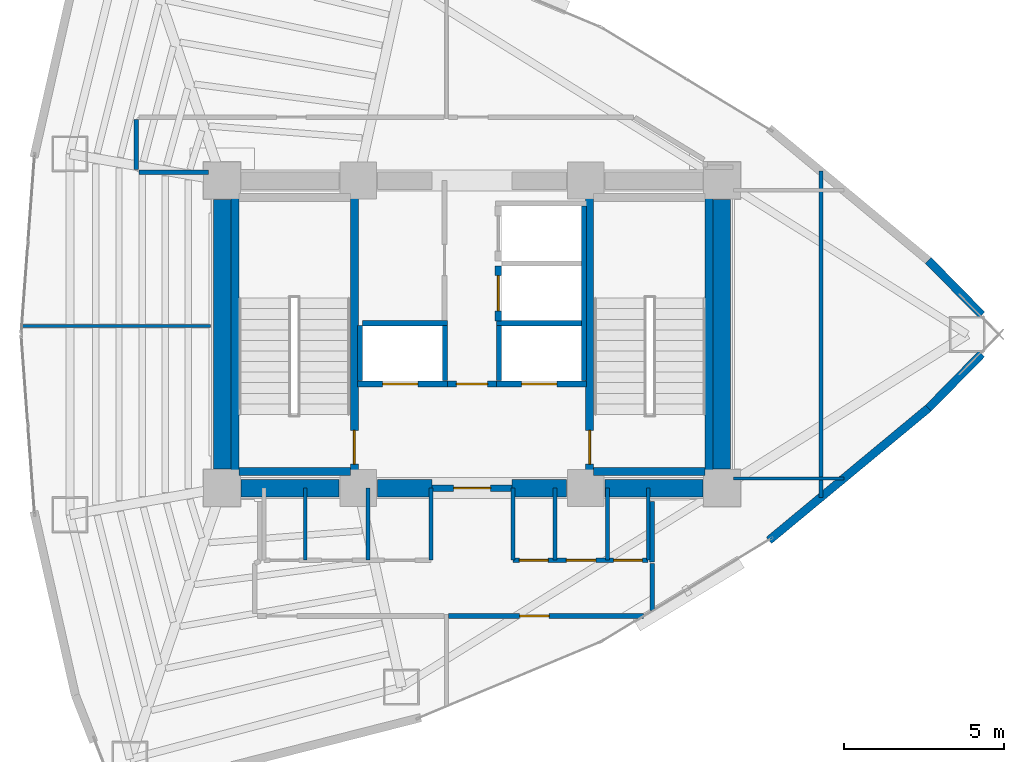
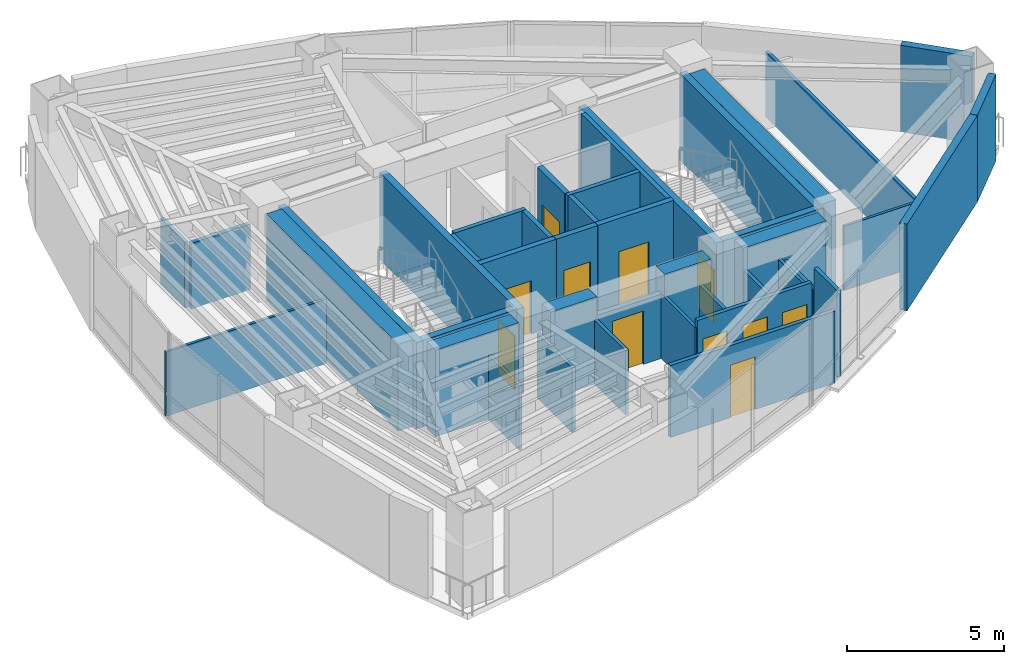
# One storey, part 11 of 15: 42 walls, 11 doors, 11 openings.
"""IFC4 building model written with IfcOpenShell, lengths in metres."""

import ifcopenshell
import ifcopenshell.guid

model = None  # the IFC model being written
_history = None  # IfcOwnerHistory: only IFC2X3 demands one
_inside = {}  # id of a spatial element -> (the spatial element, [elements in it])
_under = {}  # id of a project, library or spatial element -> (it, [spatial elements below it])
_declared = {}  # id of a project -> (the project, [libraries it declares])
_typed = {}  # id of a type object -> (the type object, [elements of that type])
_made_of = {}  # id of a material, layer set ... -> (it, [elements and type objects made of it])


def new_model(schema):
    """Start an empty IFC model of exactly this schema.

    Asked for "IFC4X3", IfcOpenShell would pick the latest addendum, in which some entities
    have other attributes; the version numbers below select the first issue.
    IFC2X3 requires an IfcOwnerHistory on every rooted entity: one is made here for all.
    """
    global model, _history
    if schema == "IFC4X3":
        model = ifcopenshell.file(schema_version=(4, 3, 0, 0))
    else:
        model = ifcopenshell.file(schema=schema)
    _inside.clear()
    _under.clear()
    _declared.clear()
    _typed.clear()
    _made_of.clear()
    _history = None
    if model.schema == "IFC2X3":
        org = make("IfcOrganization", Name="unknown")
        user = make(
            "IfcPersonAndOrganization",
            ThePerson=make("IfcPerson", FamilyName="unknown"),
            TheOrganization=org,
        )
        app = make(
            "IfcApplication",
            ApplicationDeveloper=org,
            Version="unknown",
            ApplicationFullName="unknown",
            ApplicationIdentifier="unknown",
        )
        _history = make(
            "IfcOwnerHistory",
            OwningUser=user,
            OwningApplication=app,
            ChangeAction="ADDED",
            CreationDate=0,
        )
    return model


def make(cls, **values):
    """One entity of the class cls with the attributes given. An attribute that is None is left unset."""
    return model.create_entity(
        cls, **{name: value for name, value in values.items() if value is not None}
    )


def rooted(cls, **values):
    """An entity with a GlobalId (a new one), such as an element, a storey or a relation."""
    return make(cls, GlobalId=ifcopenshell.guid.new(), OwnerHistory=_history, **values)


def si_unit(unit_type, name, prefix=None):
    """IfcSIUnit, for example si_unit("LENGTHUNIT", "METRE", prefix="MILLI")."""
    return make("IfcSIUnit", UnitType=unit_type, Prefix=prefix, Name=name)


def assignment(units):
    """IfcUnitAssignment: the units of a project."""
    return None if units is None else make("IfcUnitAssignment", Units=units)


def point(xyz):
    """IfcCartesianPoint."""
    return None if xyz is None else make("IfcCartesianPoint", Coordinates=xyz)


def direction(xyz):
    """IfcDirection."""
    return None if xyz is None else make("IfcDirection", DirectionRatios=xyz)


def frame(location, z_axis=None, x_axis=None):
    """IfcAxis2Placement3D, a coordinate frame: its origin and axes. An axis left out is left unset."""
    return make(
        "IfcAxis2Placement3D",
        Location=point(location),
        Axis=direction(z_axis),
        RefDirection=direction(x_axis),
    )


def frame_2d(location, x_axis=None):
    """IfcAxis2Placement2D, a coordinate frame in the plane: its origin and x axis."""
    return make(
        "IfcAxis2Placement2D", Location=point(location), RefDirection=direction(x_axis)
    )


def origin():
    """The frame at (0, 0, 0) with its axes left unset."""
    return frame((0.0, 0.0, 0.0))


def place(relative_to, where):
    """IfcLocalPlacement: puts the frame where relative to a parent placement (None: the world)."""
    return make(
        "IfcLocalPlacement", PlacementRelTo=relative_to, RelativePlacement=where
    )


def context(
    kind, dimensions, precision=None, world=None, true_north=None, identifier=None
):
    """IfcGeometricRepresentationContext, for example the 3D "Model" context."""
    return make(
        "IfcGeometricRepresentationContext",
        ContextIdentifier=identifier,
        ContextType=kind,
        CoordinateSpaceDimension=dimensions,
        Precision=precision,
        WorldCoordinateSystem=world,
        TrueNorth=true_north,
    )


def subcontext(parent, identifier, kind, view, scale=None):
    """IfcGeometricRepresentationSubContext, for example "Body" below "Model"."""
    return make(
        "IfcGeometricRepresentationSubContext",
        ContextIdentifier=identifier,
        ContextType=kind,
        ParentContext=parent,
        TargetScale=scale,
        TargetView=view,
    )


def project(units=None, contexts=None):
    """IfcProject with its units and contexts."""
    return rooted(
        "IfcProject",
        Name="project",
        RepresentationContexts=contexts,
        UnitsInContext=assignment(units),
    )


def spatial(cls, under=None, at=None, **own):
    """A site, building, storey or space (cls), placed at a placement, below another one or the project."""
    s = rooted(cls, ObjectPlacement=at, **own)
    if under is not None:
        _under.setdefault(under.id(), (under, []))[1].append(s)
    return s


def profile(cls, at=None, kind="AREA", **sizes):
    """A parametric profile (cls). Its sizes go by their IFC names, for example OverallWidth=200.0."""
    return make(cls, ProfileType=kind, Position=at, **sizes)


def rectangle(**sizes):
    """IfcRectangleProfileDef."""
    return profile("IfcRectangleProfileDef", **sizes)


def extrude(swept, where, along, depth):
    """IfcExtrudedAreaSolid: the profile swept, set in the frame where, extruded along a direction by depth."""
    return make(
        "IfcExtrudedAreaSolid",
        SweptArea=swept,
        Position=where,
        ExtrudedDirection=direction(along),
        Depth=depth,
    )


def shape(context_of_items, identifier, shape_type, items):
    """IfcShapeRepresentation: the items that make up one representation, for example the "Body"."""
    return make(
        "IfcShapeRepresentation",
        ContextOfItems=context_of_items,
        RepresentationIdentifier=identifier,
        RepresentationType=shape_type,
        Items=items,
    )


def material(Name=None, Category=None):
    """IfcMaterial."""
    return make("IfcMaterial", Name=Name, Category=Category)


def layer(
    of_material, thickness, ventilated=None, Name=None, Category=None, Priority=None
):
    """IfcMaterialLayer: one layer of a wall or slab, of a material (None: an air gap)."""
    return make(
        "IfcMaterialLayer",
        Material=of_material,
        LayerThickness=thickness,
        IsVentilated=ventilated,
        Name=Name,
        Category=Category,
        Priority=Priority,
    )


def layer_set(layers, Name=None):
    """IfcMaterialLayerSet."""
    return make("IfcMaterialLayerSet", MaterialLayers=layers, LayerSetName=Name)


def made_of(thing, what):
    """Note that an element or type object is made of a material, layer set ...; save() writes the relation."""
    if what is not None:
        _made_of.setdefault(what.id(), (what, []))[1].append(thing)
    return thing


def type_object(cls, material=None, **own):
    """A type object (cls), such as IfcWallType, which elements share."""
    return made_of(rooted(cls, **own), material)


def element(
    cls,
    number,
    at=None,
    inside=None,
    cuts=None,
    type_object=None,
    material=None,
    context=None,
    identifier="Body",
    shape_type=None,
    held_by="IfcProductDefinitionShape",
    body=None,
    shapes=None,
    **own,
):
    """One element of the class cls, such as IfcWall. Its Tag is "e" and its number.

    at: its placement. inside: the storey or other place that contains it. cuts: it is an
    opening in that element (IfcRelVoidsElement). A single representation is given by context,
    identifier, shape_type and body (its items); several are given by shapes. held_by: the class
    of the entity that holds the representations. save() writes the other relations.
    """
    e = rooted(cls, Tag="e%d" % number, ObjectPlacement=at, **own)
    if body is not None:
        shapes = [shape(context, identifier, shape_type, body)]
    if shapes is not None:
        e.Representation = make(held_by, Representations=shapes)
    if inside is not None:
        _inside.setdefault(inside.id(), (inside, []))[1].append(e)
    if cuts is not None:
        rooted(
            "IfcRelVoidsElement", RelatingBuildingElement=cuts, RelatedOpeningElement=e
        )
    if type_object is not None:
        _typed.setdefault(type_object.id(), (type_object, []))[1].append(e)
    return made_of(e, material)


def fill(opening, filler):
    """IfcRelFillsElement: the door or window that sits in an opening."""
    return rooted(
        "IfcRelFillsElement",
        RelatingOpeningElement=opening,
        RelatedBuildingElement=filler,
    )


def aggregate(whole, parts):
    """IfcRelAggregates: a whole, such as a stair, and the parts it consists of."""
    return rooted("IfcRelAggregates", RelatingObject=whole, RelatedObjects=parts)


def save(model, path):
    """Write the relations noted so far, then the file.

    IfcRelAggregates (storeys below a building ...), IfcRelContainedInSpatialStructure (elements
    in a storey), IfcRelDefinesByType, IfcRelAssociatesMaterial and IfcRelDeclares: one each for
    every whole, place, type object, material and project.
    """
    for whole, parts in _under.values():
        aggregate(whole, parts)
    for where, things in _inside.values():
        rooted(
            "IfcRelContainedInSpatialStructure",
            RelatedElements=things,
            RelatingStructure=where,
        )
    for kind, things in _typed.values():
        rooted("IfcRelDefinesByType", RelatedObjects=things, RelatingType=kind)
    for what, things in _made_of.values():
        rooted("IfcRelAssociatesMaterial", RelatedObjects=things, RelatingMaterial=what)
    for by, libraries in _declared.values():
        rooted("IfcRelDeclares", RelatingContext=by, RelatedDefinitions=libraries)
    model.write(path)


model = new_model("IFC4")

# Units and contexts
model_context = context("Model", 3, precision=1e-05, world=origin(), true_north=direction((0.0, 1.0)))
body_context = subcontext(model_context, "Body", "Model", "MODEL_VIEW")
ifc_project = project(units=[si_unit("LENGTHUNIT", "METRE"), si_unit("AREAUNIT", "SQUARE_METRE"), si_unit("VOLUMEUNIT", "CUBIC_METRE"), si_unit("PLANEANGLEUNIT", "RADIAN"), si_unit("MASSUNIT", "GRAM", prefix="KILO")], contexts=[model_context])

# Site, building, storey
site_placement = place(None, origin())
site = spatial("IfcSite", under=ifc_project, at=site_placement, CompositionType="ELEMENT")
building_placement = place(site_placement, origin())
building = spatial("IfcBuilding", under=site, at=building_placement, Name="Menara Vayukalpa", CompositionType="ELEMENT")
storey_placement = place(building_placement, frame((0.0, 0.0, 144.89990234375)))
storey = spatial("IfcBuildingStorey", under=building, at=storey_placement, Name="L36", CompositionType="ELEMENT", Elevation=144.89990234375)

# Walls
ifc_material_1 = material(Name="Concrete C60/75", Category="concrete")
ifc_layer_1 = layer(ifc_material_1, 0.550048828125)
ifc_layer_set_1 = layer_set([ifc_layer_1], Name="Concrete C60/75")
wall_type_1 = type_object("IfcWallType", Name="WAL-CW550", PredefinedType="SHEAR", material=ifc_layer_set_1)
wall_1_placement = place(storey_placement, frame((18.39501953125, 17.199951171875, 0.0), z_axis=(0.0, 0.0, 1.0), x_axis=(1.0, 0.0, 0.0)))
element("IfcWall", 1, at=wall_1_placement, inside=storey, type_object=wall_type_1, Name="L36 Buttressed Core Shear Wall CWS1", PredefinedType="SHEAR", context=body_context, shape_type="SweptSolid", body=[
    extrude(rectangle(XDim=3.06005859375, YDim=0.550048828125, at=frame_2d((1.530029296875, 0.0))), origin(), (0.0, 0.0, 1.0), 3.380126953125),
])
wall_2_placement = place(storey_placement, frame((22.64501953125, 17.199951171875, 0.0), z_axis=(0.0, 0.0, 1.0), x_axis=(1.0, 0.0, 0.0)))
element("IfcWall", 2, at=wall_2_placement, inside=storey, type_object=wall_type_1, Name="L36 Buttressed Core Shear Wall CWS2", PredefinedType="SHEAR", context=body_context, shape_type="SweptSolid", body=[
    extrude(rectangle(XDim=1.705078125, YDim=0.550048828125, at=frame_2d((0.8525390625, 0.0))), origin(), (0.0, 0.0, 1.0), 3.380126953125),
])
wall_3_placement = place(storey_placement, frame((26.85009765625, 17.199951171875, 0.0), z_axis=(0.0, 0.0, 1.0), x_axis=(1.0, 0.0, 0.0)))
element("IfcWall", 3, at=wall_3_placement, inside=storey, type_object=wall_type_1, Name="L36 Buttressed Core Shear Wall CWS3", PredefinedType="SHEAR", context=body_context, shape_type="SweptSolid", body=[
    extrude(rectangle(XDim=1.704833984375, YDim=0.550048828125, at=frame_2d((0.8525390625, 0.0))), origin(), (0.0, 0.0, 1.0), 3.380126953125),
])
wall_4_placement = place(storey_placement, frame((29.7451171875, 17.199951171875, 0.0), z_axis=(0.0, 0.0, 1.0), x_axis=(1.0, 0.0, 0.0)))
element("IfcWall", 4, at=wall_4_placement, inside=storey, type_object=wall_type_1, Name="L36 Buttressed Core Shear Wall CWS4", PredefinedType="SHEAR", context=body_context, shape_type="SweptSolid", body=[
    extrude(rectangle(XDim=3.059814453125, YDim=0.550048828125, at=frame_2d((1.52978515625, 0.0))), origin(), (0.0, 0.0, 1.0), 3.380126953125),
])
for number, where, z_axis, x_axis, name in (
    (5, (17.800048828125, 17.794921875, 0.0), (0.0, 0.0, 1.0), (0.0, 1.0, 0.0), "L36 Buttressed Core Shear Wall CWW1"),
    (6, (33.39990234375, 17.794921875, 0.0), (0.0, 0.0, 1.0), (0.0, 1.0, 0.0), "L36 Buttressed Core Shear Wall CWE1"),
):
    element("IfcWall", number, at=place(storey_placement, frame(where, z_axis=z_axis, x_axis=x_axis)), inside=storey, type_object=wall_type_1, Name=name, PredefinedType="SHEAR", context=body_context, shape_type="SweptSolid", body=[
        extrude(rectangle(XDim=8.41015625, YDim=0.550048828125, at=frame_2d((4.205078125, 0.0))), origin(), (0.0, 0.0, 1.0), 3.380126953125),
    ])
ifc_material_2 = material(Name="Insulated Precast Concrete C40/50", Category="concrete")
ifc_layer_2 = layer(ifc_material_2, 0.260009765625)
ifc_layer_set_2 = layer_set([ifc_layer_2], Name="Insulated Precast Concrete C40/50")
wall_type_2 = type_object("IfcWallType", Name="WAL-EXT260", PredefinedType="PARTITIONING", material=ifc_layer_set_2)
for number, where, z_axis, x_axis, name in (
    (7, (41.51171875, 21.3916015625, 0.0), (0.0, 0.0, 1.0), (-0.700554898891, -0.713598510116, 0.0), "L36 Perimeter Terracotta Pier Wall 01"),
    (8, (39.846435546875, 24.3046875, 0.0), (0.0, 0.0, 1.0), (0.700554898891, -0.713598510116, 0.0), "L36 Perimeter Terracotta Pier Wall 02"),
):
    element("IfcWall", number, at=place(storey_placement, frame(where, z_axis=z_axis, x_axis=x_axis)), inside=storey, type_object=wall_type_2, Name=name, PredefinedType="PARTITIONING", context=body_context, shape_type="SweptSolid", body=[
        extrude(rectangle(XDim=2.377197265625, YDim=0.260009765625, at=frame_2d((1.1884765625, 0.0))), origin(), (0.0, 0.0, 1.0), 3.380126953125),
    ])
wall_5_placement = place(storey_placement, frame((39.855224609375, 19.70361328125, 0.0), z_axis=(0.0, 0.0, 1.0), x_axis=(-0.769754797847, -0.638339683234, 0.0)))
element("IfcWall", 9, at=wall_5_placement, inside=storey, type_object=wall_type_2, Name="L36 Perimeter Terracotta Pier Wall 18", PredefinedType="PARTITIONING", context=body_context, shape_type="SweptSolid", body=[
    extrude(rectangle(XDim=6.476318359375, YDim=0.260009765625, at=frame_2d((3.23828125, 0.0))), origin(), (0.0, 0.0, 1.0), 3.380126953125),
])
ifc_material_3 = material(Name="Lightweight Concrete Blockwork C16/20", Category="masonry")
ifc_layer_3 = layer(ifc_material_3, 0.159912109375)
ifc_layer_set_3 = layer_set([ifc_layer_3], Name="Lightweight Concrete Blockwork C16/20")
wall_type_3 = type_object("IfcWallType", Name="WAL-FR150", PredefinedType="PARTITIONING", material=ifc_layer_set_3)
for number, where, z_axis, x_axis, name in (
    (10, (22.10498046875, 20.56005859375, 0.0), (0.0, 0.0, 1.0), (0.0, 1.0, 0.0), "L36 Interior Partition IW-L36-SHW-WW"),
    (11, (24.7548828125, 20.56005859375, 0.0), (0.0, 0.0, 1.0), (0.0, 1.0, 0.0), "L36 Interior Partition IW-L36-SHW-W1E"),
):
    element("IfcWall", number, at=place(storey_placement, frame(where, z_axis=z_axis, x_axis=x_axis)), inside=storey, type_object=wall_type_3, Name=name, PredefinedType="PARTITIONING", context=body_context, shape_type="SweptSolid", body=[
        extrude(rectangle(XDim=1.7099609375, YDim=0.159912109375, at=frame_2d((0.85498046875, 0.0))), origin(), (0.0, 0.0, 1.0), 3.380126953125),
    ])
wall_6_placement = place(storey_placement, frame((22.179931640625, 22.344970703125, 0.0), z_axis=(0.0, 0.0, 1.0), x_axis=(1.0, 0.0, 0.0)))
element("IfcWall", 12, at=wall_6_placement, inside=storey, type_object=wall_type_3, Name="L36 Interior Partition IW-L36-SHM-W12", PredefinedType="PARTITIONING", context=body_context, shape_type="SweptSolid", body=[
    extrude(rectangle(XDim=2.650146484375, YDim=0.159912109375, at=frame_2d((1.3251953125, 0.0))), origin(), (0.0, 0.0, 1.0), 3.380126953125),
])
wall_7_placement = place(storey_placement, frame((29.094970703125, 20.56005859375, 0.0), z_axis=(0.0, 0.0, 1.0), x_axis=(0.0, 1.0, 0.0)))
element("IfcWall", 13, at=wall_7_placement, inside=storey, type_object=wall_type_3, Name="L36 Interior Partition IW-L36-SHW-EE", PredefinedType="PARTITIONING", context=body_context, shape_type="SweptSolid", body=[
    extrude(rectangle(XDim=5.449951171875, YDim=0.159912109375, at=frame_2d((2.72509765625, 0.0))), origin(), (0.0, 0.0, 1.0), 3.380126953125),
])
wall_8_placement = place(storey_placement, frame((26.445068359375, 20.56005859375, 0.0), z_axis=(0.0, 0.0, 1.0), x_axis=(0.0, 1.0, 0.0)))
element("IfcWall", 14, at=wall_8_placement, inside=storey, type_object=wall_type_3, Name="L36 Interior Partition IW-L36-SHW-E1W", PredefinedType="PARTITIONING", context=body_context, shape_type="SweptSolid", body=[
    extrude(rectangle(XDim=1.7099609375, YDim=0.159912109375, at=frame_2d((0.85498046875, 0.0))), origin(), (0.0, 0.0, 1.0), 3.380126953125),
])
wall_9_placement = place(storey_placement, frame((26.3701171875, 22.344970703125, 0.0), z_axis=(0.0, 0.0, 1.0), x_axis=(1.0, 0.0, 0.0)))
element("IfcWall", 15, at=wall_9_placement, inside=storey, type_object=wall_type_3, Name="L36 Interior Partition IW-L36-SHM-E13", PredefinedType="PARTITIONING", context=body_context, shape_type="SweptSolid", body=[
    extrude(rectangle(XDim=2.64990234375, YDim=0.159912109375, at=frame_2d((1.324951171875, 0.0))), origin(), (0.0, 0.0, 1.0), 3.380126953125),
])

# Wall, opening, door
ifc_material_4 = material(Name="Lightweight Concrete Blockwork C16/20", Category="masonry")
ifc_layer_4 = layer(ifc_material_4, 0.199951171875)
ifc_layer_set_4 = layer_set([ifc_layer_4], Name="Lightweight Concrete Blockwork C16/20")
wall_type_4 = type_object("IfcWallType", Name="WAL-FR200", PredefinedType="PARTITIONING", material=ifc_layer_set_4)
wall_10_placement = place(storey_placement, frame((24.35009765625, 17.199951171875, 0.0), z_axis=(0.0, 0.0, 1.0), x_axis=(1.0, 0.0, 0.0)))
wall_10 = element("IfcWall", 16, at=wall_10_placement, inside=storey, type_object=wall_type_4, Name="L36 Interior Partition IW-L36-FFLS", PredefinedType="PARTITIONING", context=body_context, shape_type="SweptSolid", body=[
    extrude(rectangle(XDim=2.5, YDim=0.199951171875, at=frame_2d((1.25, 0.0))), origin(), (0.0, 0.0, 1.0), 2.510009765625),
])
opening_1_placement = place(wall_10_placement, frame((0.679931640625, 0.0, 0.0)))
opening_1 = element("IfcOpeningElement", 17, at=opening_1_placement, cuts=wall_10, Name="Opening ID2", PredefinedType="OPENING", context=body_context, shape_type="SweptSolid", body=[
    extrude(rectangle(XDim=1.14990234375, YDim=2.080078125, at=frame_2d((0.574951171875, 1.0400390625))), frame((0.0, 0.10986328125, 0.0), z_axis=(0.0, -1.0, 0.0), x_axis=(1.0, 0.0, 0.0)), (0.0, 0.0, 1.0), 0.219970703125),
])
ifc_material_5 = material(Name="Fire-Rated Powder-Coated Steel Door", Category="steel")
door_type_1 = type_object("IfcDoorType", Name="DR-FD60W", OperationType="NOTDEFINED", PredefinedType="DOOR", material=ifc_material_5)
door_1_placement = place(opening_1_placement, origin())
door_1 = element("IfcDoor", 18, at=door_1_placement, inside=storey, type_object=door_type_1, Name="L36 Interior Door DR-L36-FFLS", OperationType="SINGLE_SWING_LEFT", OverallHeight=2.080078125, OverallWidth=1.14990234375, PredefinedType="DOOR", context=body_context, shape_type="SweptSolid", body=[
    extrude(rectangle(XDim=1.14990234375, YDim=2.080078125, at=frame_2d((0.574951171875, 1.0400390625))), frame((0.0, 0.02490234375, 0.0), z_axis=(0.0, -1.0, 0.0), x_axis=(1.0, 0.0, 0.0)), (0.0, 0.0, 1.0), 0.050048828125),
])
fill(opening_1, door_1)

wall_11_placement = place(storey_placement, frame((24.840087890625, 20.449951171875, 0.0), z_axis=(0.0, 0.0, 1.0), x_axis=(1.0, 0.0, 0.0)))
wall_11 = element("IfcWall", 19, at=wall_11_placement, inside=storey, type_object=wall_type_4, Name="L36 Interior Partition IW-L36-FFLN", PredefinedType="PARTITIONING", context=body_context, shape_type="SweptSolid", body=[
    extrude(rectangle(XDim=1.52001953125, YDim=0.199951171875, at=frame_2d((0.760009765625, 0.0))), origin(), (0.0, 0.0, 1.0), 3.380126953125),
])
opening_2_placement = place(wall_11_placement, frame((0.27001953125, 0.0, 0.0)))
opening_2 = element("IfcOpeningElement", 20, at=opening_2_placement, cuts=wall_11, Name="Opening ID3", PredefinedType="OPENING", context=body_context, shape_type="SweptSolid", body=[
    extrude(rectangle(XDim=0.97998046875, YDim=2.06005859375, at=frame_2d((0.489990234375, 1.030029296875))), frame((0.0, 0.10986328125, 0.0), z_axis=(0.0, -1.0, 0.0), x_axis=(1.0, 0.0, 0.0)), (0.0, 0.0, 1.0), 0.219970703125),
])
ifc_material_6 = material(Name="Fire-Rated Powder-Coated Steel Door", Category="steel")
door_type_2 = type_object("IfcDoorType", Name="DR-FD60", OperationType="NOTDEFINED", PredefinedType="DOOR", material=ifc_material_6)
door_2_placement = place(opening_2_placement, origin())
door_2 = element("IfcDoor", 21, at=door_2_placement, inside=storey, type_object=door_type_2, Name="L36 Interior Door DR-L36-FFLN", OperationType="SINGLE_SWING_RIGHT", OverallHeight=2.06005859375, OverallWidth=0.97998046875, PredefinedType="DOOR", context=body_context, shape_type="SweptSolid", body=[
    extrude(rectangle(XDim=0.97998046875, YDim=2.06005859375, at=frame_2d((0.489990234375, 1.030029296875))), frame((0.0, 0.02490234375, 0.0), z_axis=(0.0, -1.0, 0.0), x_axis=(1.0, 0.0, 0.0)), (0.0, 0.0, 1.0), 0.050048828125),
])
fill(opening_2, door_2)

wall_12_placement = place(storey_placement, frame((22.030029296875, 20.449951171875, 0.0), z_axis=(0.0, 0.0, 1.0), x_axis=(1.0, 0.0, 0.0)))
wall_12 = element("IfcWall", 22, at=wall_12_placement, inside=storey, type_object=wall_type_4, Name="L36 Interior Partition IW-L36-SH-W1", PredefinedType="PARTITIONING", context=body_context, shape_type="SweptSolid", body=[
    extrude(rectangle(XDim=2.800048828125, YDim=0.199951171875, at=frame_2d((1.39990234375, 0.0))), origin(), (0.0, 0.0, 1.0), 3.380126953125),
])
opening_3_placement = place(wall_12_placement, frame((0.780029296875, 0.0, 0.0)))
opening_3 = element("IfcOpeningElement", 23, at=opening_3_placement, cuts=wall_12, Name="Opening LD1", PredefinedType="OPENING", context=body_context, shape_type="SweptSolid", body=[
    extrude(rectangle(XDim=1.10009765625, YDim=2.080078125, at=frame_2d((0.550048828125, 1.0400390625))), frame((0.0, 0.10986328125, 0.0), z_axis=(0.0, -1.0, 0.0), x_axis=(1.0, 0.0, 0.0)), (0.0, 0.0, 1.0), 0.219970703125),
])
ifc_material_7 = material(Name="Brushed Stainless Steel 316 Lift Door", Category="steel")
door_type_3 = type_object("IfcDoorType", Name="DR-LD110", OperationType="NOTDEFINED", PredefinedType="DOOR", material=ifc_material_7)
door_3_placement = place(opening_3_placement, origin())
door_3 = element("IfcDoor", 24, at=door_3_placement, inside=storey, type_object=door_type_3, Name="L36 Interior Door DR-L36-LD-W1", OperationType="DOUBLE_DOOR_SLIDING", OverallHeight=2.080078125, OverallWidth=1.10009765625, PredefinedType="DOOR", context=body_context, shape_type="SweptSolid", body=[
    extrude(rectangle(XDim=1.10009765625, YDim=2.080078125, at=frame_2d((0.550048828125, 1.0400390625))), frame((0.0, 0.02490234375, 0.0), z_axis=(0.0, -1.0, 0.0), x_axis=(1.0, 0.0, 0.0)), (0.0, 0.0, 1.0), 0.050048828125),
])
fill(opening_3, door_3)

wall_13_placement = place(storey_placement, frame((26.3701171875, 20.449951171875, 0.0), z_axis=(0.0, 0.0, 1.0), x_axis=(1.0, 0.0, 0.0)))
wall_13 = element("IfcWall", 25, at=wall_13_placement, inside=storey, type_object=wall_type_4, Name="L36 Interior Partition IW-L36-SH-E1", PredefinedType="PARTITIONING", context=body_context, shape_type="SweptSolid", body=[
    extrude(rectangle(XDim=2.7998046875, YDim=0.199951171875, at=frame_2d((1.39990234375, 0.0))), origin(), (0.0, 0.0, 1.0), 3.380126953125),
])
opening_4_placement = place(wall_13_placement, frame((0.780029296875, 0.0, 0.0)))
opening_4 = element("IfcOpeningElement", 26, at=opening_4_placement, cuts=wall_13, Name="Opening LD1", PredefinedType="OPENING", context=body_context, shape_type="SweptSolid", body=[
    extrude(rectangle(XDim=1.10009765625, YDim=2.080078125, at=frame_2d((0.550048828125, 1.0400390625))), frame((0.0, 0.10986328125, 0.0), z_axis=(0.0, -1.0, 0.0), x_axis=(1.0, 0.0, 0.0)), (0.0, 0.0, 1.0), 0.219970703125),
])
door_4_placement = place(opening_4_placement, origin())
door_4 = element("IfcDoor", 27, at=door_4_placement, inside=storey, type_object=door_type_3, Name="L36 Interior Door DR-L36-LD-E1", OperationType="DOUBLE_DOOR_SLIDING", OverallHeight=2.080078125, OverallWidth=1.10009765625, PredefinedType="DOOR", context=body_context, shape_type="SweptSolid", body=[
    extrude(rectangle(XDim=1.10009765625, YDim=2.080078125, at=frame_2d((0.550048828125, 1.0400390625))), frame((0.0, 0.02490234375, 0.0), z_axis=(0.0, -1.0, 0.0), x_axis=(1.0, 0.0, 0.0)), (0.0, 0.0, 1.0), 0.050048828125),
])
fill(opening_4, door_4)

wall_14_placement = place(storey_placement, frame((26.419921875, 22.419921875, 0.0), z_axis=(0.0, 0.0, 1.0), x_axis=(0.0, 1.0, 0.0)))
wall_14 = element("IfcWall", 28, at=wall_14_placement, inside=storey, type_object=wall_type_4, Name="L36 Interior Partition IW-L36-SH-E3", PredefinedType="PARTITIONING", context=body_context, shape_type="SweptSolid", body=[
    extrude(rectangle(XDim=1.719970703125, YDim=0.199951171875, at=frame_2d((0.85986328125, 0.0))), origin(), (0.0, 0.0, 1.0), 3.380126953125),
])
opening_5_placement = place(wall_14_placement, frame((0.31005859375, 0.0, 0.0)))
opening_5 = element("IfcOpeningElement", 29, at=opening_5_placement, cuts=wall_14, Name="Opening LD1", PredefinedType="OPENING", context=body_context, shape_type="SweptSolid", body=[
    extrude(rectangle(XDim=1.10009765625, YDim=2.080078125, at=frame_2d((0.550048828125, 1.0400390625))), frame((0.0, 0.10986328125, 0.0), z_axis=(0.0, -1.0, 0.0), x_axis=(1.0, 0.0, 0.0)), (0.0, 0.0, 1.0), 0.219970703125),
])
door_5_placement = place(opening_5_placement, origin())
door_5 = element("IfcDoor", 30, at=door_5_placement, inside=storey, type_object=door_type_3, Name="L36 Interior Door DR-L36-LD-E3", OperationType="DOUBLE_DOOR_SLIDING", OverallHeight=2.080078125, OverallWidth=1.10009765625, PredefinedType="DOOR", context=body_context, shape_type="SweptSolid", body=[
    extrude(rectangle(XDim=1.10009765625, YDim=2.080078125, at=frame_2d((0.550048828125, 1.0400390625))), frame((0.0, 0.02490234375, 0.0), z_axis=(0.0, -1.0, 0.0), x_axis=(1.0, 0.0, 0.0)), (0.0, 0.0, 1.0), 0.050048828125),
])
fill(opening_5, door_5)

# Walls
ifc_material_8 = material(Name="Glazed Demountable Office Partition", Category="glass")
ifc_layer_5 = layer(ifc_material_8, 0.094970703125)
ifc_layer_set_5 = layer_set([ifc_layer_5], Name="Glazed Demountable Office Partition")
wall_type_5 = type_object("IfcWallType", Name="WAL-PT100", PredefinedType="PARTITIONING", material=ifc_layer_set_5)
wall_15_placement = place(storey_placement, frame((33.77001953125, 17.5, 0.0), z_axis=(0.0, 0.0, 1.0), x_axis=(1.0, 0.0, 0.0)))
element("IfcWall", 31, at=wall_15_placement, inside=storey, type_object=wall_type_5, Name="L36 Interior Partition IW-L36-RDIV04", PredefinedType="PARTITIONING", context=body_context, shape_type="SweptSolid", body=[
    extrude(rectangle(XDim=3.443603515625, YDim=0.094970703125, at=frame_2d((1.7216796875, 0.0))), origin(), (0.0, 0.0, 1.0), 2.510009765625),
])
wall_16_placement = place(storey_placement, frame((11.506103515625, 22.25830078125, 0.0), z_axis=(0.0, 0.0, 1.0), x_axis=(1.0, 0.0, 0.0)))
element("IfcWall", 32, at=wall_16_placement, inside=storey, type_object=wall_type_5, Name="L36 Interior Partition IW-L36-RDIV06", PredefinedType="PARTITIONING", context=body_context, shape_type="SweptSolid", body=[
    extrude(rectangle(XDim=5.933837890625, YDim=0.094970703125, at=frame_2d((2.966796875, 0.0))), origin(), (0.0, 0.0, 1.0), 2.510009765625),
])
ifc_material_9 = material(Name="Acoustic Mineral Stud Partition", Category="masonry")
ifc_layer_6 = layer(ifc_material_9, 0.110107421875)
ifc_layer_set_6 = layer_set([ifc_layer_6], Name="Acoustic Mineral Stud Partition")
wall_type_6 = type_object("IfcWallType", Name="WAL-PT110", PredefinedType="PARTITIONING", material=ifc_layer_set_6)
for number, where, z_axis, x_axis, name in (
    (33, (20.39990234375, 14.949951171875, 0.0), (0.0, 0.0, 1.0), (0.0, 1.0, 0.0), "L36 Interior Partition IW-L36-SVCD-02"),
    (34, (26.8798828125, 14.949951171875, 0.0), (0.0, 0.0, 1.0), (0.0, 1.0, 0.0), "L36 Interior Partition IW-L36-SVCD-05"),
    (35, (31.10009765625, 14.949951171875, 0.0), (0.0, 0.0, 1.0), (0.0, 1.0, 0.0), "L36 Interior Partition IW-L36-SVCD-08"),
):
    element("IfcWall", number, at=place(storey_placement, frame(where, z_axis=z_axis, x_axis=x_axis)), inside=storey, type_object=wall_type_6, Name=name, PredefinedType="PARTITIONING", context=body_context, shape_type="SweptSolid", body=[
        extrude(rectangle(XDim=2.25, YDim=0.110107421875, at=frame_2d((1.125, 0.0))), origin(), (0.0, 0.0, 1.0), 2.510009765625),
    ])
ifc_material_10 = material(Name="Gypsum Drywall Steel Stud Assembly", Category="steel")
ifc_layer_7 = layer(ifc_material_10, 0.125)
ifc_layer_set_7 = layer_set([ifc_layer_7], Name="Gypsum Drywall Steel Stud Assembly")
wall_type_7 = type_object("IfcWallType", Name="WAL-PT125", PredefinedType="PARTITIONING", material=ifc_layer_set_7)
for number, where, z_axis, x_axis, name in (
    (36, (22.360107421875, 14.949951171875, 0.0), (0.0, 0.0, 1.0), (0.0, 1.0, 0.0), "L36 Interior Partition IW-L36-SVCD-03"),
    (37, (24.320068359375, 14.949951171875, 0.0), (0.0, 0.0, 1.0), (0.0, 1.0, 0.0), "L36 Interior Partition IW-L36-SVCD-04"),
    (38, (28.18994140625, 14.949951171875, 0.0), (0.0, 0.0, 1.0), (0.0, 1.0, 0.0), "L36 Interior Partition IW-L36-SVCD-06"),
    (39, (29.830078125, 14.949951171875, 0.0), (0.0, 0.0, 1.0), (0.0, 1.0, 0.0), "L36 Interior Partition IW-L36-SVCD-07"),
):
    element("IfcWall", number, at=place(storey_placement, frame(where, z_axis=z_axis, x_axis=x_axis)), inside=storey, type_object=wall_type_7, Name=name, PredefinedType="PARTITIONING", context=body_context, shape_type="SweptSolid", body=[
        extrude(rectangle(XDim=2.25, YDim=0.125, at=frame_2d((1.125, 0.0))), origin(), (0.0, 0.0, 1.0), 2.510009765625),
    ])
wall_17_placement = place(storey_placement, frame((36.5, 16.908203125, 0.0), z_axis=(0.0, 0.0, 1.0), x_axis=(0.0, 1.0, 0.0)))
element("IfcWall", 40, at=wall_17_placement, inside=storey, type_object=wall_type_7, Name="L36 Interior Partition IW-L36-RDIV03", PredefinedType="PARTITIONING", context=body_context, shape_type="SweptSolid", body=[
    extrude(rectangle(XDim=10.18359375, YDim=0.125, at=frame_2d((5.091796875, 0.0))), origin(), (0.0, 0.0, 1.0), 2.56005859375),
])

# Wall, openings, doors
ifc_material_11 = material(Name="Gypsum Drywall Acoustic Stud Assembly", Category="masonry")
ifc_layer_8 = layer(ifc_material_11, 0.14501953125)
ifc_layer_set_8 = layer_set([ifc_layer_8], Name="Gypsum Drywall Acoustic Stud Assembly")
wall_type_8 = type_object("IfcWallType", Name="WAL-PT150", PredefinedType="PARTITIONING", material=ifc_layer_set_8)
wall_18_placement = place(storey_placement, frame((26.8798828125, 14.949951171875, 0.0), z_axis=(0.0, 0.0, 1.0), x_axis=(1.0, 0.0, 0.0)))
wall_18 = element("IfcWall", 41, at=wall_18_placement, inside=storey, type_object=wall_type_8, Name="L36 Interior Partition IW-L36-SVCS-E", PredefinedType="PARTITIONING", context=body_context, shape_type="SweptSolid", body=[
    extrude(rectangle(XDim=4.22021484375, YDim=0.14501953125, at=frame_2d((2.110107421875, 0.0))), origin(), (0.0, 0.0, 1.0), 2.81005859375),
])
opening_6_placement = place(wall_18_placement, frame((0.199951171875, 0.0, 0.0)))
opening_6 = element("IfcOpeningElement", 42, at=opening_6_placement, cuts=wall_18, Name="Opening ID7", PredefinedType="OPENING", context=body_context, shape_type="SweptSolid", body=[
    extrude(rectangle(XDim=0.89990234375, YDim=2.02001953125, at=frame_2d((0.449951171875, 1.010009765625))), frame((0.0, 0.08251953125, 0.0), z_axis=(0.0, -1.0, 0.0), x_axis=(1.0, 0.0, 0.0)), (0.0, 0.0, 1.0), 0.1650390625),
])
opening_7_placement = place(wall_18_placement, frame((1.669921875, 0.0, 0.0)))
opening_7 = element("IfcOpeningElement", 43, at=opening_7_placement, cuts=wall_18, Name="Opening ID6", PredefinedType="OPENING", context=body_context, shape_type="SweptSolid", body=[
    extrude(rectangle(XDim=0.919921875, YDim=2.050048828125, at=frame_2d((0.4599609375, 1.02490234375))), frame((0.0, 0.08251953125, 0.0), z_axis=(0.0, -1.0, 0.0), x_axis=(1.0, 0.0, 0.0)), (0.0, 0.0, 1.0), 0.1650390625),
])
opening_8_placement = place(wall_18_placement, frame((3.139892578125, 0.0, 0.0)))
opening_8 = element("IfcOpeningElement", 44, at=opening_8_placement, cuts=wall_18, Name="Opening ID7", PredefinedType="OPENING", context=body_context, shape_type="SweptSolid", body=[
    extrude(rectangle(XDim=0.89990234375, YDim=2.02001953125, at=frame_2d((0.449951171875, 1.010009765625))), frame((0.0, 0.08251953125, 0.0), z_axis=(0.0, -1.0, 0.0), x_axis=(1.0, 0.0, 0.0)), (0.0, 0.0, 1.0), 0.1650390625),
])
ifc_material_12 = material(Name="Acoustic Hardwood Veneer Timber Door", Category="wood")
door_type_4 = type_object("IfcDoorType", Name="DR-INT92", OperationType="NOTDEFINED", PredefinedType="DOOR", material=ifc_material_12)
door_6_placement = place(opening_7_placement, origin())
door_6 = element("IfcDoor", 45, at=door_6_placement, inside=storey, type_object=door_type_4, Name="L36 Interior Door DR-L36-KSV2", OperationType="SINGLE_SWING_RIGHT", OverallHeight=2.050048828125, OverallWidth=0.919921875, PredefinedType="DOOR", context=body_context, shape_type="SweptSolid", body=[
    extrude(rectangle(XDim=0.919921875, YDim=2.050048828125, at=frame_2d((0.4599609375, 1.02490234375))), frame((0.0, 0.02490234375, 0.0), z_axis=(0.0, -1.0, 0.0), x_axis=(1.0, 0.0, 0.0)), (0.0, 0.0, 1.0), 0.050048828125),
])
fill(opening_7, door_6)
ifc_material_13 = material(Name="Powder-Coated Steel Riser Access Door", Category="steel")
door_type_5 = type_object("IfcDoorType", Name="DR-RISER", OperationType="NOTDEFINED", PredefinedType="DOOR", material=ifc_material_13)
door_7_placement = place(opening_6_placement, origin())
door_7 = element("IfcDoor", 46, at=door_7_placement, inside=storey, type_object=door_type_5, Name="L36 Interior Door DR-L36-KSV1", OperationType="SINGLE_SWING_LEFT", OverallHeight=2.02001953125, OverallWidth=0.89990234375, PredefinedType="DOOR", context=body_context, shape_type="SweptSolid", body=[
    extrude(rectangle(XDim=0.89990234375, YDim=2.02001953125, at=frame_2d((0.449951171875, 1.010009765625))), frame((0.0, 0.02490234375, 0.0), z_axis=(0.0, -1.0, 0.0), x_axis=(1.0, 0.0, 0.0)), (0.0, 0.0, 1.0), 0.050048828125),
])
fill(opening_6, door_7)
door_8_placement = place(opening_8_placement, origin())
door_8 = element("IfcDoor", 47, at=door_8_placement, inside=storey, type_object=door_type_5, Name="L36 Interior Door DR-L36-SMD", OperationType="SINGLE_SWING_LEFT", OverallHeight=2.02001953125, OverallWidth=0.89990234375, PredefinedType="DOOR", context=body_context, shape_type="SweptSolid", body=[
    extrude(rectangle(XDim=0.89990234375, YDim=2.02001953125, at=frame_2d((0.449951171875, 1.010009765625))), frame((0.0, 0.02490234375, 0.0), z_axis=(0.0, -1.0, 0.0), x_axis=(1.0, 0.0, 0.0)), (0.0, 0.0, 1.0), 0.050048828125),
])
fill(opening_8, door_8)

# Wall, opening, door
wall_19_placement = place(storey_placement, frame((24.8701171875, 13.2099609375, 0.0), z_axis=(0.0, 0.0, 1.0), x_axis=(1.0, 0.0, 0.0)))
wall_19 = element("IfcWall", 48, at=wall_19_placement, inside=storey, type_object=wall_type_8, Name="L36 Interior Partition IW-L36-CRM02-1", PredefinedType="PARTITIONING", context=body_context, shape_type="SweptSolid", body=[
    extrude(rectangle(XDim=6.0849609375, YDim=0.14501953125, at=frame_2d((3.04248046875, 0.0))), origin(), (0.0, 0.0, 1.0), 2.81005859375),
])
opening_9_placement = place(wall_19_placement, frame((2.215087890625, 0.0, 0.0)))
opening_9 = element("IfcOpeningElement", 49, at=opening_9_placement, cuts=wall_19, Name="Opening ID6", PredefinedType="OPENING", context=body_context, shape_type="SweptSolid", body=[
    extrude(rectangle(XDim=0.919921875, YDim=2.050048828125, at=frame_2d((0.4599609375, 1.02490234375))), frame((0.0, 0.08251953125, 0.0), z_axis=(0.0, -1.0, 0.0), x_axis=(1.0, 0.0, 0.0)), (0.0, 0.0, 1.0), 0.1650390625),
])
door_9_placement = place(opening_9_placement, origin())
door_9 = element("IfcDoor", 50, at=door_9_placement, inside=storey, type_object=door_type_4, Name="L36 Interior Door DR-L36-RM02", OperationType="SINGLE_SWING_LEFT", OverallHeight=2.050048828125, OverallWidth=0.919921875, PredefinedType="DOOR", context=body_context, shape_type="SweptSolid", body=[
    extrude(rectangle(XDim=0.919921875, YDim=2.050048828125, at=frame_2d((0.4599609375, 1.02490234375))), frame((0.0, 0.02490234375, 0.0), z_axis=(0.0, -1.0, 0.0), x_axis=(1.0, 0.0, 0.0)), (0.0, 0.0, 1.0), 0.050048828125),
])
fill(opening_9, door_9)

# Walls
wall_20_placement = place(storey_placement, frame((31.22998046875, 13.376953125, 0.0), z_axis=(0.0, 0.0, 1.0), x_axis=(0.0, 1.0, 0.0)))
element("IfcWall", 51, at=wall_20_placement, inside=storey, type_object=wall_type_8, Name="L36 Interior Partition IW-L36-CRM02-3", PredefinedType="PARTITIONING", context=body_context, shape_type="SweptSolid", body=[
    extrude(rectangle(XDim=1.47314453125, YDim=0.14501953125, at=frame_2d((0.736572265625, 0.0))), origin(), (0.0, 0.0, 1.0), 3.380126953125),
])
wall_21_placement = place(storey_placement, frame((31.219970703125, 14.888671875, 0.0), z_axis=(0.0, 0.0, 1.0), x_axis=(0.0, 1.0, 0.0)))
element("IfcWall", 52, at=wall_21_placement, inside=storey, type_object=wall_type_8, Name="L36 Interior Partition IW-L36-CRM02-4", PredefinedType="PARTITIONING", context=body_context, shape_type="SweptSolid", body=[
    extrude(rectangle(XDim=1.891357421875, YDim=0.14501953125, at=frame_2d((0.94580078125, 0.0))), origin(), (0.0, 0.0, 1.0), 2.510009765625),
])
wall_22_placement = place(storey_placement, frame((15.1201171875, 28.699951171875, 0.0), z_axis=(0.0, 0.0, 1.0), x_axis=(0.0, -1.0, 0.0)))
element("IfcWall", 53, at=wall_22_placement, inside=storey, type_object=wall_type_8, Name="L36 Interior Partition IW-L36-CRM06-2", PredefinedType="PARTITIONING", context=body_context, shape_type="SweptSolid", body=[
    extrude(rectangle(XDim=1.56005859375, YDim=0.14501953125, at=frame_2d((0.780029296875, 0.0))), origin(), (0.0, 0.0, 1.0), 2.56005859375),
])
wall_23_placement = place(storey_placement, frame((15.199951171875, 27.06005859375, 0.0), z_axis=(0.0, 0.0, 1.0), x_axis=(1.0, 0.0, 0.0)))
element("IfcWall", 54, at=wall_23_placement, inside=storey, type_object=wall_type_8, Name="L36 Interior Partition IW-L36-CRM06-3", PredefinedType="PARTITIONING", context=body_context, shape_type="SweptSolid", body=[
    extrude(rectangle(XDim=2.179931640625, YDim=0.14501953125, at=frame_2d((1.08984375, 0.0))), origin(), (0.0, 0.0, 1.0), 2.56005859375),
])
ifc_material_14 = material(Name="Concrete C50/60", Category="concrete")
ifc_layer_9 = layer(ifc_material_14, 0.25)
ifc_layer_set_9 = layer_set([ifc_layer_9], Name="Concrete C50/60")
wall_type_9 = type_object("IfcWallType", Name="WAL-SW250", PredefinedType="SHEAR", material=ifc_layer_set_9)
wall_24_placement = place(storey_placement, frame((18.2041015625, 17.60009765625, 0.0), z_axis=(0.0, 0.0, 1.0), x_axis=(0.0, 1.0, 0.0)))
element("IfcWall", 55, at=wall_24_placement, inside=storey, type_object=wall_type_9, Name="L36 ST1 Structural Stair Shaft Wall W", PredefinedType="SHEAR", context=body_context, shape_type="SweptSolid", body=[
    extrude(rectangle(XDim=8.7998046875, YDim=0.25, at=frame_2d((4.39990234375, 0.0))), origin(), (0.0, 0.0, 1.0), 3.380126953125),
])

# Wall, opening, door
wall_25_placement = place(storey_placement, frame((21.925048828125, 17.60009765625, 0.0), z_axis=(0.0, 0.0, 1.0), x_axis=(0.0, 1.0, 0.0)))
wall_25 = element("IfcWall", 56, at=wall_25_placement, inside=storey, type_object=wall_type_9, Name="L36 ST1 Structural Stair Shaft Wall E", PredefinedType="SHEAR", context=body_context, shape_type="SweptSolid", body=[
    extrude(rectangle(XDim=8.7998046875, YDim=0.25, at=frame_2d((4.39990234375, 0.0))), origin(), (0.0, 0.0, 1.0), 3.380126953125),
])
opening_10_placement = place(wall_25_placement, frame((0.35009765625, 0.0, 0.0)))
opening_10 = element("IfcOpeningElement", 57, at=opening_10_placement, cuts=wall_25, Name="Opening ID1", PredefinedType="OPENING", context=body_context, shape_type="SweptSolid", body=[
    extrude(rectangle(XDim=1.050048828125, YDim=2.080078125, at=frame_2d((0.52490234375, 1.0400390625))), frame((0.0, 0.135009765625, 0.0), z_axis=(0.0, -1.0, 0.0), x_axis=(1.0, 0.0, 0.0)), (0.0, 0.0, 1.0), 0.27001953125),
])
ifc_material_15 = material(Name="Fire-Rated Powder-Coated Steel Door", Category="steel")
door_type_6 = type_object("IfcDoorType", Name="DR-FD120", OperationType="NOTDEFINED", PredefinedType="DOOR", material=ifc_material_15)
door_10_placement = place(opening_10_placement, origin())
door_10 = element("IfcDoor", 58, at=door_10_placement, inside=storey, type_object=door_type_6, Name="L36 Stair Exit Door DR-L36-ST1", OperationType="SINGLE_SWING_LEFT", OverallHeight=2.080078125, OverallWidth=1.050048828125, PredefinedType="DOOR", context=body_context, shape_type="SweptSolid", body=[
    extrude(rectangle(XDim=1.050048828125, YDim=2.080078125, at=frame_2d((0.52490234375, 1.0400390625))), frame((0.0, 0.02490234375, 0.0), z_axis=(0.0, -1.0, 0.0), x_axis=(1.0, 0.0, 0.0)), (0.0, 0.0, 1.0), 0.050048828125),
])
fill(opening_10, door_10)

# Wall
wall_26_placement = place(storey_placement, frame((18.3291015625, 17.72509765625, 0.0), z_axis=(0.0, 0.0, 1.0), x_axis=(1.0, 0.0, 0.0)))
element("IfcWall", 59, at=wall_26_placement, inside=storey, type_object=wall_type_9, Name="L36 ST1 Structural Stair Shaft Wall S", PredefinedType="SHEAR", context=body_context, shape_type="SweptSolid", body=[
    extrude(rectangle(XDim=3.470947265625, YDim=0.25, at=frame_2d((1.7353515625, 0.0))), origin(), (0.0, 0.0, 1.0), 3.380126953125),
])

# Wall, opening, door
wall_27_placement = place(storey_placement, frame((29.27490234375, 17.60009765625, 0.0), z_axis=(0.0, 0.0, 1.0), x_axis=(0.0, 1.0, 0.0)))
wall_27 = element("IfcWall", 60, at=wall_27_placement, inside=storey, type_object=wall_type_9, Name="L36 ST2 Structural Stair Shaft Wall W", PredefinedType="SHEAR", context=body_context, shape_type="SweptSolid", body=[
    extrude(rectangle(XDim=8.7998046875, YDim=0.25, at=frame_2d((4.39990234375, 0.0))), origin(), (0.0, 0.0, 1.0), 3.380126953125),
])
opening_11_placement = place(wall_27_placement, frame((0.35009765625, 0.0, 0.0)))
opening_11 = element("IfcOpeningElement", 61, at=opening_11_placement, cuts=wall_27, Name="Opening ID1", PredefinedType="OPENING", context=body_context, shape_type="SweptSolid", body=[
    extrude(rectangle(XDim=1.050048828125, YDim=2.080078125, at=frame_2d((0.52490234375, 1.0400390625))), frame((0.0, 0.135009765625, 0.0), z_axis=(0.0, -1.0, 0.0), x_axis=(1.0, 0.0, 0.0)), (0.0, 0.0, 1.0), 0.27001953125),
])
door_11_placement = place(opening_11_placement, origin())
door_11 = element("IfcDoor", 62, at=door_11_placement, inside=storey, type_object=door_type_6, Name="L36 Stair Exit Door DR-L36-ST2", OperationType="SINGLE_SWING_RIGHT", OverallHeight=2.080078125, OverallWidth=1.050048828125, PredefinedType="DOOR", context=body_context, shape_type="SweptSolid", body=[
    extrude(rectangle(XDim=1.050048828125, YDim=2.080078125, at=frame_2d((0.52490234375, 1.0400390625))), frame((0.0, 0.02490234375, 0.0), z_axis=(0.0, -1.0, 0.0), x_axis=(1.0, 0.0, 0.0)), (0.0, 0.0, 1.0), 0.050048828125),
])
fill(opening_11, door_11)

# Walls
wall_28_placement = place(storey_placement, frame((32.99609375, 17.60009765625, 0.0), z_axis=(0.0, 0.0, 1.0), x_axis=(0.0, 1.0, 0.0)))
element("IfcWall", 63, at=wall_28_placement, inside=storey, type_object=wall_type_9, Name="L36 ST2 Structural Stair Shaft Wall E", PredefinedType="SHEAR", context=body_context, shape_type="SweptSolid", body=[
    extrude(rectangle(XDim=8.7998046875, YDim=0.25, at=frame_2d((4.39990234375, 0.0))), origin(), (0.0, 0.0, 1.0), 3.380126953125),
])
wall_29_placement = place(storey_placement, frame((29.39990234375, 17.72509765625, 0.0), z_axis=(0.0, 0.0, 1.0), x_axis=(1.0, 0.0, 0.0)))
element("IfcWall", 64, at=wall_29_placement, inside=storey, type_object=wall_type_9, Name="L36 ST2 Structural Stair Shaft Wall S", PredefinedType="SHEAR", context=body_context, shape_type="SweptSolid", body=[
    extrude(rectangle(XDim=3.47119140625, YDim=0.25, at=frame_2d((1.735595703125, 0.0))), origin(), (0.0, 0.0, 1.0), 3.380126953125),
])

save(model, "model.ifc")
